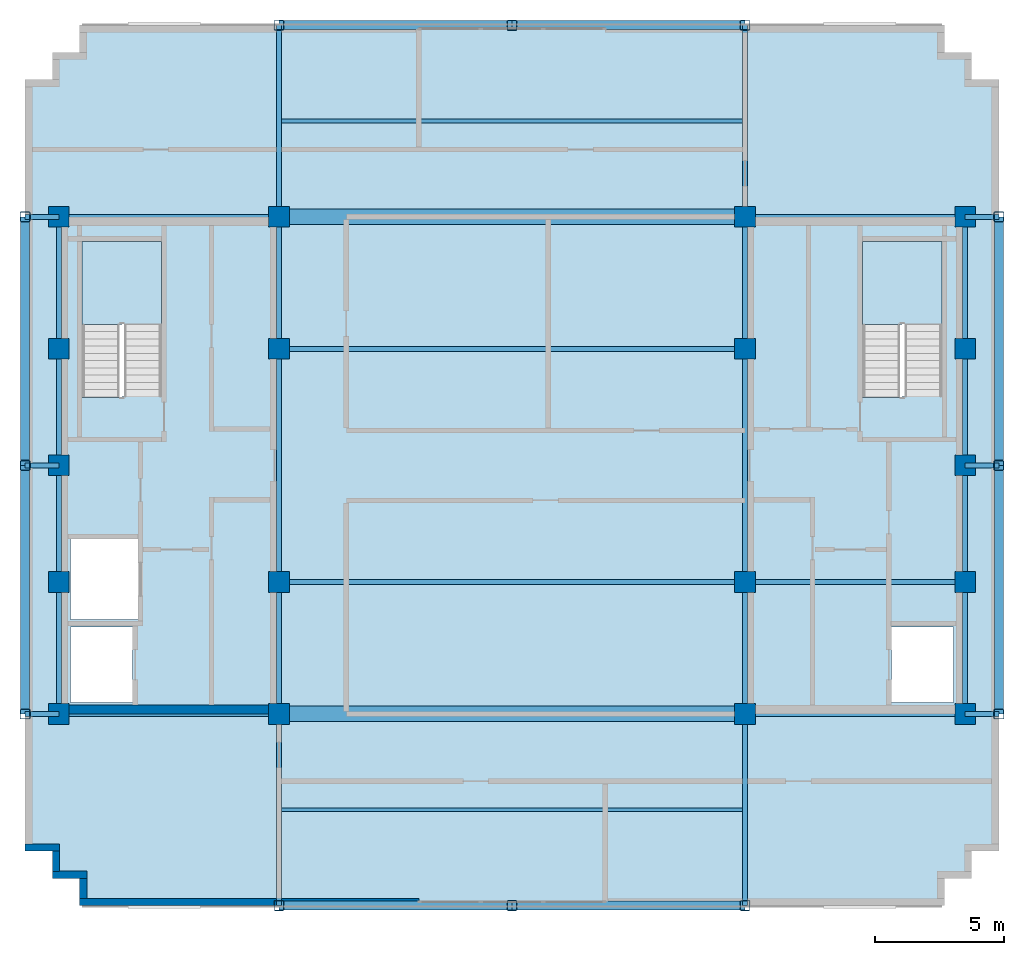
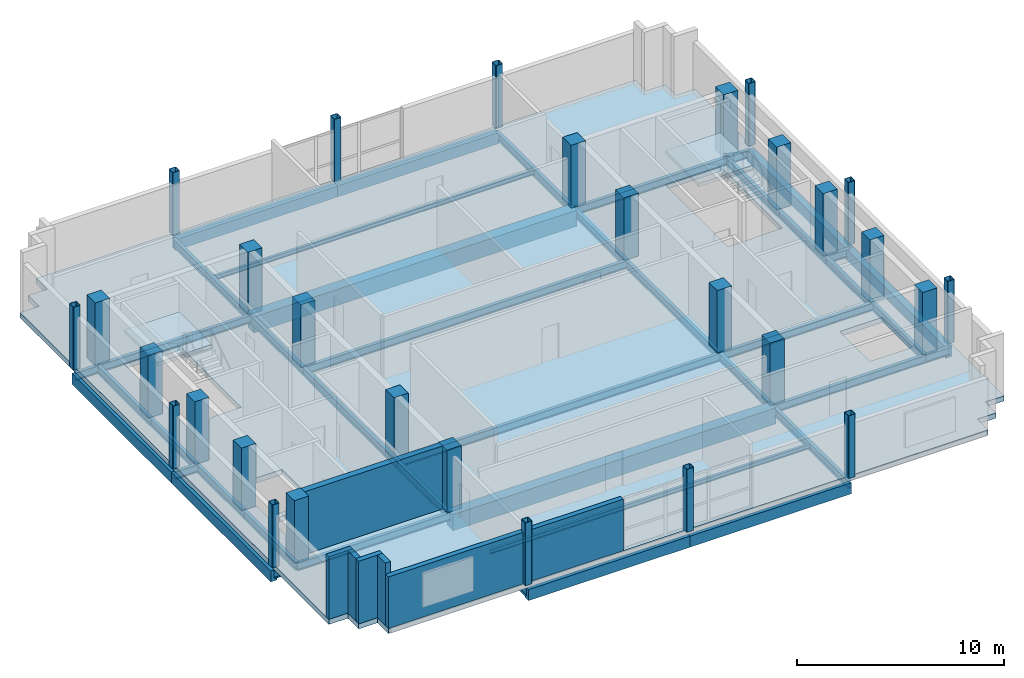
# One storey, part 1 of 10: 43 beams, 30 columns, 6 walls, 3 slabs, 2 elements without a shape of their own.
"""IFC4 building model written with IfcOpenShell, lengths in metres."""

import ifcopenshell
import ifcopenshell.guid

model = None  # the IFC model being written
_history = None  # IfcOwnerHistory: only IFC2X3 demands one
_inside = {}  # id of a spatial element -> (the spatial element, [elements in it])
_under = {}  # id of a project, library or spatial element -> (it, [spatial elements below it])
_declared = {}  # id of a project -> (the project, [libraries it declares])
_typed = {}  # id of a type object -> (the type object, [elements of that type])
_made_of = {}  # id of a material, layer set ... -> (it, [elements and type objects made of it])


def new_model(schema):
    """Start an empty IFC model of exactly this schema.

    Asked for "IFC4X3", IfcOpenShell would pick the latest addendum, in which some entities
    have other attributes; the version numbers below select the first issue.
    IFC2X3 requires an IfcOwnerHistory on every rooted entity: one is made here for all.
    """
    global model, _history
    if schema == "IFC4X3":
        model = ifcopenshell.file(schema_version=(4, 3, 0, 0))
    else:
        model = ifcopenshell.file(schema=schema)
    _inside.clear()
    _under.clear()
    _declared.clear()
    _typed.clear()
    _made_of.clear()
    _history = None
    if model.schema == "IFC2X3":
        org = make("IfcOrganization", Name="unknown")
        user = make(
            "IfcPersonAndOrganization",
            ThePerson=make("IfcPerson", FamilyName="unknown"),
            TheOrganization=org,
        )
        app = make(
            "IfcApplication",
            ApplicationDeveloper=org,
            Version="unknown",
            ApplicationFullName="unknown",
            ApplicationIdentifier="unknown",
        )
        _history = make(
            "IfcOwnerHistory",
            OwningUser=user,
            OwningApplication=app,
            ChangeAction="ADDED",
            CreationDate=0,
        )
    return model


def make(cls, **values):
    """One entity of the class cls with the attributes given. An attribute that is None is left unset."""
    return model.create_entity(
        cls, **{name: value for name, value in values.items() if value is not None}
    )


def rooted(cls, **values):
    """An entity with a GlobalId (a new one), such as an element, a storey or a relation."""
    return make(cls, GlobalId=ifcopenshell.guid.new(), OwnerHistory=_history, **values)


def si_unit(unit_type, name, prefix=None):
    """IfcSIUnit, for example si_unit("LENGTHUNIT", "METRE", prefix="MILLI")."""
    return make("IfcSIUnit", UnitType=unit_type, Prefix=prefix, Name=name)


def assignment(units):
    """IfcUnitAssignment: the units of a project."""
    return None if units is None else make("IfcUnitAssignment", Units=units)


def point(xyz):
    """IfcCartesianPoint."""
    return None if xyz is None else make("IfcCartesianPoint", Coordinates=xyz)


def direction(xyz):
    """IfcDirection."""
    return None if xyz is None else make("IfcDirection", DirectionRatios=xyz)


def frame(location, z_axis=None, x_axis=None):
    """IfcAxis2Placement3D, a coordinate frame: its origin and axes. An axis left out is left unset."""
    return make(
        "IfcAxis2Placement3D",
        Location=point(location),
        Axis=direction(z_axis),
        RefDirection=direction(x_axis),
    )


def frame_2d(location, x_axis=None):
    """IfcAxis2Placement2D, a coordinate frame in the plane: its origin and x axis."""
    return make(
        "IfcAxis2Placement2D", Location=point(location), RefDirection=direction(x_axis)
    )


def origin():
    """The frame at (0, 0, 0) with its axes left unset."""
    return frame((0.0, 0.0, 0.0))


def origin_2d():
    """The frame at (0, 0) in the plane with its x axis left unset."""
    return frame_2d((0.0, 0.0))


def place(relative_to, where):
    """IfcLocalPlacement: puts the frame where relative to a parent placement (None: the world)."""
    return make(
        "IfcLocalPlacement", PlacementRelTo=relative_to, RelativePlacement=where
    )


def context(
    kind, dimensions, precision=None, world=None, true_north=None, identifier=None
):
    """IfcGeometricRepresentationContext, for example the 3D "Model" context."""
    return make(
        "IfcGeometricRepresentationContext",
        ContextIdentifier=identifier,
        ContextType=kind,
        CoordinateSpaceDimension=dimensions,
        Precision=precision,
        WorldCoordinateSystem=world,
        TrueNorth=true_north,
    )


def subcontext(parent, identifier, kind, view, scale=None):
    """IfcGeometricRepresentationSubContext, for example "Body" below "Model"."""
    return make(
        "IfcGeometricRepresentationSubContext",
        ContextIdentifier=identifier,
        ContextType=kind,
        ParentContext=parent,
        TargetScale=scale,
        TargetView=view,
    )


def project(units=None, contexts=None):
    """IfcProject with its units and contexts."""
    return rooted(
        "IfcProject",
        Name="project",
        RepresentationContexts=contexts,
        UnitsInContext=assignment(units),
    )


def spatial(cls, under=None, at=None, **own):
    """A site, building, storey or space (cls), placed at a placement, below another one or the project."""
    s = rooted(cls, ObjectPlacement=at, **own)
    if under is not None:
        _under.setdefault(under.id(), (under, []))[1].append(s)
    return s


def polyline(points):
    """IfcPolyline through the points."""
    return make("IfcPolyline", Points=[point(p) for p in points])


def profile(cls, at=None, kind="AREA", **sizes):
    """A parametric profile (cls). Its sizes go by their IFC names, for example OverallWidth=200.0."""
    return make(cls, ProfileType=kind, Position=at, **sizes)


def rectangle(**sizes):
    """IfcRectangleProfileDef."""
    return profile("IfcRectangleProfileDef", **sizes)


def hollow_rectangle(**sizes):
    """IfcRectangleHollowProfileDef."""
    return profile("IfcRectangleHollowProfileDef", **sizes)


def i_section(**sizes):
    """IfcIShapeProfileDef."""
    return profile("IfcIShapeProfileDef", **sizes)


def outline(outer, holes=None, kind="AREA"):
    """IfcArbitraryClosedProfileDef: a profile drawn as a closed curve; with holes, ...WithVoids."""
    if holes is None:
        return make("IfcArbitraryClosedProfileDef", ProfileType=kind, OuterCurve=outer)
    return make(
        "IfcArbitraryProfileDefWithVoids",
        ProfileType=kind,
        OuterCurve=outer,
        InnerCurves=holes,
    )


def extrude(swept, where, along, depth):
    """IfcExtrudedAreaSolid: the profile swept, set in the frame where, extruded along a direction by depth."""
    return make(
        "IfcExtrudedAreaSolid",
        SweptArea=swept,
        Position=where,
        ExtrudedDirection=direction(along),
        Depth=depth,
    )


def shape(context_of_items, identifier, shape_type, items):
    """IfcShapeRepresentation: the items that make up one representation, for example the "Body"."""
    return make(
        "IfcShapeRepresentation",
        ContextOfItems=context_of_items,
        RepresentationIdentifier=identifier,
        RepresentationType=shape_type,
        Items=items,
    )


def material(Name=None, Category=None):
    """IfcMaterial."""
    return make("IfcMaterial", Name=Name, Category=Category)


def layer(
    of_material, thickness, ventilated=None, Name=None, Category=None, Priority=None
):
    """IfcMaterialLayer: one layer of a wall or slab, of a material (None: an air gap)."""
    return make(
        "IfcMaterialLayer",
        Material=of_material,
        LayerThickness=thickness,
        IsVentilated=ventilated,
        Name=Name,
        Category=Category,
        Priority=Priority,
    )


def layer_set(layers, Name=None):
    """IfcMaterialLayerSet."""
    return make("IfcMaterialLayerSet", MaterialLayers=layers, LayerSetName=Name)


def material_profile(
    of_material, cross_section, Name=None, Category=None, Priority=None
):
    """IfcMaterialProfile: a cross section and its material."""
    return make(
        "IfcMaterialProfile",
        Name=Name,
        Material=of_material,
        Profile=cross_section,
        Priority=Priority,
        Category=Category,
    )


def profile_set(profiles, Name=None, composite=None):
    """IfcMaterialProfileSet."""
    return make(
        "IfcMaterialProfileSet",
        Name=Name,
        MaterialProfiles=profiles,
        CompositeProfile=composite,
    )


def made_of(thing, what):
    """Note that an element or type object is made of a material, layer set ...; save() writes the relation."""
    if what is not None:
        _made_of.setdefault(what.id(), (what, []))[1].append(thing)
    return thing


def type_object(cls, material=None, **own):
    """A type object (cls), such as IfcWallType, which elements share."""
    return made_of(rooted(cls, **own), material)


def element(
    cls,
    number,
    at=None,
    inside=None,
    cuts=None,
    type_object=None,
    material=None,
    context=None,
    identifier="Body",
    shape_type=None,
    held_by="IfcProductDefinitionShape",
    body=None,
    shapes=None,
    **own,
):
    """One element of the class cls, such as IfcWall. Its Tag is "e" and its number.

    at: its placement. inside: the storey or other place that contains it. cuts: it is an
    opening in that element (IfcRelVoidsElement). A single representation is given by context,
    identifier, shape_type and body (its items); several are given by shapes. held_by: the class
    of the entity that holds the representations. save() writes the other relations.
    """
    e = rooted(cls, Tag="e%d" % number, ObjectPlacement=at, **own)
    if body is not None:
        shapes = [shape(context, identifier, shape_type, body)]
    if shapes is not None:
        e.Representation = make(held_by, Representations=shapes)
    if inside is not None:
        _inside.setdefault(inside.id(), (inside, []))[1].append(e)
    if cuts is not None:
        rooted(
            "IfcRelVoidsElement", RelatingBuildingElement=cuts, RelatedOpeningElement=e
        )
    if type_object is not None:
        _typed.setdefault(type_object.id(), (type_object, []))[1].append(e)
    return made_of(e, material)


def aggregate(whole, parts):
    """IfcRelAggregates: a whole, such as a stair, and the parts it consists of."""
    return rooted("IfcRelAggregates", RelatingObject=whole, RelatedObjects=parts)


def save(model, path):
    """Write the relations noted so far, then the file.

    IfcRelAggregates (storeys below a building ...), IfcRelContainedInSpatialStructure (elements
    in a storey), IfcRelDefinesByType, IfcRelAssociatesMaterial and IfcRelDeclares: one each for
    every whole, place, type object, material and project.
    """
    for whole, parts in _under.values():
        aggregate(whole, parts)
    for where, things in _inside.values():
        rooted(
            "IfcRelContainedInSpatialStructure",
            RelatedElements=things,
            RelatingStructure=where,
        )
    for kind, things in _typed.values():
        rooted("IfcRelDefinesByType", RelatedObjects=things, RelatingType=kind)
    for what, things in _made_of.values():
        rooted("IfcRelAssociatesMaterial", RelatedObjects=things, RelatingMaterial=what)
    for by, libraries in _declared.values():
        rooted("IfcRelDeclares", RelatingContext=by, RelatedDefinitions=libraries)
    model.write(path)


model = new_model("IFC4")

# Units and contexts
model_context = context("Model", 3, precision=1e-05, world=origin(), true_north=direction((0.0, 1.0)))
body_context = subcontext(model_context, "Body", "Model", "MODEL_VIEW")
ifc_project = project(units=[si_unit("LENGTHUNIT", "METRE"), si_unit("AREAUNIT", "SQUARE_METRE"), si_unit("VOLUMEUNIT", "CUBIC_METRE"), si_unit("PLANEANGLEUNIT", "RADIAN"), si_unit("MASSUNIT", "GRAM", prefix="KILO")], contexts=[model_context])

# Site, building, storey
site_placement = place(None, origin())
site = spatial("IfcSite", under=ifc_project, at=site_placement, CompositionType="ELEMENT")
building_placement = place(site_placement, origin())
building = spatial("IfcBuilding", under=site, at=building_placement, Name="Nuvemarco Arch Tower", CompositionType="ELEMENT")
storey_placement = place(building_placement, frame((0.0, 0.0, 291.14990234375)))
storey = spatial("IfcBuildingStorey", under=building, at=storey_placement, Name="L77", CompositionType="ELEMENT", Elevation=291.14990234375)

# Columns
ifc_material_1 = material(Name="Concrete C50/60", Category="concrete")
ifc_material_profile_1 = material_profile(ifc_material_1, rectangle(XDim=0.800048828125, YDim=0.800048828125, at=origin_2d()), Name="RC-COL-800x800")
ifc_profile_set_1 = profile_set([ifc_material_profile_1], Name="Concrete C50/60")
column_type_1 = type_object("IfcColumnType", Name="COL-CORE-800", PredefinedType="COLUMN", material=ifc_profile_set_1)
for number, where, z_axis, x_axis, name in (
    (1, (-17.5, -9.60009765625, 0.0), (0.0, 0.0, 1.0), (1.0, 0.0, 0.0), "L77 column CC_-17.5_-9.6"),
    (2, (-17.5, -4.5, 0.0), (0.0, 0.0, 1.0), (1.0, 0.0, 0.0), "L77 column CC_-17.5_-4.5"),
    (3, (-17.5, 4.5, 0.0), (0.0, 0.0, 1.0), (1.0, 0.0, 0.0), "L77 column CC_-17.5_+4.5"),
    (4, (-17.5, 9.60009765625, 0.0), (0.0, 0.0, 1.0), (1.0, 0.0, 0.0), "L77 column CC_-17.5_+9.6"),
    (5, (-9.0, -9.60009765625, 0.0), (0.0, 0.0, 1.0), (1.0, 0.0, 0.0), "L77 column CC_-9.0_-9.6"),
    (6, (-9.0, -4.5, 0.0), (0.0, 0.0, 1.0), (1.0, 0.0, 0.0), "L77 column CC_-9.0_-4.5"),
    (7, (-9.0, 4.5, 0.0), (0.0, 0.0, 1.0), (1.0, 0.0, 0.0), "L77 column CC_-9.0_+4.5"),
    (8, (-9.0, 9.60009765625, 0.0), (0.0, 0.0, 1.0), (1.0, 0.0, 0.0), "L77 column CC_-9.0_+9.6"),
    (9, (9.0, -9.60009765625, 0.0), (0.0, 0.0, 1.0), (1.0, 0.0, 0.0), "L77 column CC_+9.0_-9.6"),
    (10, (9.0, -4.5, 0.0), (0.0, 0.0, 1.0), (1.0, 0.0, 0.0), "L77 column CC_+9.0_-4.5"),
    (11, (9.0, 4.5, 0.0), (0.0, 0.0, 1.0), (1.0, 0.0, 0.0), "L77 column CC_+9.0_+4.5"),
    (12, (9.0, 9.60009765625, 0.0), (0.0, 0.0, 1.0), (1.0, 0.0, 0.0), "L77 column CC_+9.0_+9.6"),
    (13, (17.5, -9.60009765625, 0.0), (0.0, 0.0, 1.0), (1.0, 0.0, 0.0), "L77 column CC_+17.5_-9.6"),
    (14, (17.5, -4.5, 0.0), (0.0, 0.0, 1.0), (1.0, 0.0, 0.0), "L77 column CC_+17.5_-4.5"),
    (15, (17.5, 4.5, 0.0), (0.0, 0.0, 1.0), (1.0, 0.0, 0.0), "L77 column CC_+17.5_+4.5"),
    (16, (17.5, 9.60009765625, 0.0), (0.0, 0.0, 1.0), (1.0, 0.0, 0.0), "L77 column CC_+17.5_+9.6"),
    (17, (-17.5, 0.0, 0.0), (0.0, 0.0, 1.0), (1.0, 0.0, 0.0), "L77 column CC_-17.5_+0.0"),
    (18, (17.5, 0.0, 0.0), (0.0, 0.0, 1.0), (1.0, 0.0, 0.0), "L77 column CC_+17.5_+0.0"),
):
    element("IfcColumn", number, at=place(storey_placement, frame(where, z_axis=z_axis, x_axis=x_axis)), inside=storey, type_object=column_type_1, Name=name, PredefinedType="COLUMN", context=body_context, shape_type="SweptSolid", body=[
        extrude(rectangle(XDim=0.800048828125, YDim=0.800048828125, at=origin_2d()), origin(), (0.0, 0.0, 1.0), 3.7001953125),
    ])
ifc_material_2 = material(Name="Steel S355", Category="steel")
ifc_material_profile_2 = material_profile(ifc_material_2, hollow_rectangle(XDim=0.39990234375, YDim=0.39990234375, WallThickness=0.02490234375, InnerFilletRadius=0.02490234375, OuterFilletRadius=0.050048828125, at=origin_2d()), Name="SHS400x400x25")
ifc_profile_set_2 = profile_set([ifc_material_profile_2], Name="Steel S355")
column_type_2 = type_object("IfcColumnType", Name="COL-EXO-400", PredefinedType="COLUMN", material=ifc_profile_set_2)
for number, where, z_axis, x_axis, name in (
    (19, (-18.800048828125, -9.60009765625, 0.0), (0.0, 0.0, 1.0), (1.0, 0.0, 0.0), "L77 column CX_-18.8_-9.6"),
    (20, (-18.800048828125, 0.0, 0.0), (0.0, 0.0, 1.0), (1.0, 0.0, 0.0), "L77 column CX_-18.8_+0.0"),
    (21, (-18.800048828125, 9.60009765625, 0.0), (0.0, 0.0, 1.0), (1.0, 0.0, 0.0), "L77 column CX_-18.8_+9.6"),
    (22, (18.800048828125, -9.60009765625, 0.0), (0.0, 0.0, 1.0), (1.0, 0.0, 0.0), "L77 column CX_+18.8_-9.6"),
    (23, (18.800048828125, 0.0, 0.0), (0.0, 0.0, 1.0), (1.0, 0.0, 0.0), "L77 column CX_+18.8_+0.0"),
    (24, (18.800048828125, 9.60009765625, 0.0), (0.0, 0.0, 1.0), (1.0, 0.0, 0.0), "L77 column CX_+18.8_+9.6"),
    (25, (-9.0, -17.0, 0.0), (0.0, 0.0, 1.0), (1.0, 0.0, 0.0), "L77 column CY_-9.0_-17.0"),
    (26, (0.0, -17.0, 0.0), (0.0, 0.0, 1.0), (1.0, 0.0, 0.0), "L77 column CY_+0.0_-17.0"),
    (27, (9.0, -17.0, 0.0), (0.0, 0.0, 1.0), (1.0, 0.0, 0.0), "L77 column CY_+9.0_-17.0"),
    (28, (-9.0, 17.0, 0.0), (0.0, 0.0, 1.0), (1.0, 0.0, 0.0), "L77 column CY_-9.0_+17.0"),
    (29, (0.0, 17.0, 0.0), (0.0, 0.0, 1.0), (1.0, 0.0, 0.0), "L77 column CY_+0.0_+17.0"),
    (30, (9.0, 17.0, 0.0), (0.0, 0.0, 1.0), (1.0, 0.0, 0.0), "L77 column CY_+9.0_+17.0"),
):
    element("IfcColumn", number, at=place(storey_placement, frame(where, z_axis=z_axis, x_axis=x_axis)), inside=storey, type_object=column_type_2, Name=name, PredefinedType="COLUMN", context=body_context, shape_type="SweptSolid", body=[
        extrude(hollow_rectangle(XDim=0.39990234375, YDim=0.39990234375, WallThickness=0.02490234375, InnerFilletRadius=0.02490234375, OuterFilletRadius=0.050048828125, at=origin_2d()), origin(), (0.0, 0.0, 1.0), 3.7001953125),
    ])

# Beams
ifc_material_3 = material(Name="Concrete C60/75", Category="concrete")
ifc_material_profile_3 = material_profile(ifc_material_3, rectangle(XDim=0.60009765625, YDim=0.949951171875, at=origin_2d()), Name="RC-BM-600x950")
ifc_profile_set_3 = profile_set([ifc_material_profile_3], Name="Concrete C60/75")
beam_type_1 = type_object("IfcBeamType", Name="BM-COUP-RC", PredefinedType="LINTEL", material=ifc_profile_set_3)
for number, where, z_axis, x_axis, name in (
    (31, (-9.0, -9.60009765625, -0.77490234375), (1.0, 0.0, 0.0), (0.0, 1.0, 0.0), "L77 structural beam BGEW_L77_0_-9.6_-9.0"),
    (32, (-9.0, 9.60009765625, -0.77490234375), (1.0, 0.0, 0.0), (0.0, 1.0, 0.0), "L77 structural beam BGEW_L77_0_+9.6_-9.0"),
):
    element("IfcBeam", number, at=place(storey_placement, frame(where, z_axis=z_axis, x_axis=x_axis)), inside=storey, type_object=beam_type_1, Name=name, PredefinedType="LINTEL", context=body_context, shape_type="SweptSolid", body=[
        extrude(rectangle(XDim=0.60009765625, YDim=0.949951171875, at=origin_2d()), origin(), (0.0, 0.0, 1.0), 18.0),
    ])
ifc_material_profile_4 = material_profile(ifc_material_2, i_section(OverallWidth=0.19189453125, OverallDepth=0.462890625, WebThickness=0.010498046875, FlangeThickness=0.017578125, FilletRadius=0.014892578125, at=origin_2d()), Name="W460x89")
ifc_profile_set_4 = profile_set([ifc_material_profile_4], Name="Steel S355")
beam_type_2 = type_object("IfcBeamType", Name="BM-GIRD-460", PredefinedType="BEAM", material=ifc_profile_set_4)
beam_1_placement = place(storey_placement, frame((-17.5, -9.60009765625, -0.531494140625), z_axis=(0.0, 1.0, 0.0), x_axis=(-1.0, 0.0, 0.0)))
element("IfcBeam", 33, at=beam_1_placement, inside=storey, type_object=beam_type_2, Name="L77 structural beam BGNS_L77_0_-17.5_-9.6", PredefinedType="BEAM", context=body_context, shape_type="SweptSolid", body=[
    extrude(i_section(OverallWidth=0.19189453125, OverallDepth=0.462890625, WebThickness=0.010498046875, FlangeThickness=0.017578125, FilletRadius=0.014892578125, at=origin_2d()), origin(), (0.0, 0.0, 1.0), 5.10009765625),
])
for number, where, z_axis, x_axis, name in (
    (34, (-17.5, -4.5, -0.531494140625), (0.0, 1.0, 0.0), (-1.0, 0.0, 0.0), "L77 structural beam BGNS_L77_0_-17.5_-4.5"),
    (35, (-17.5, 0.0, -0.531494140625), (0.0, 1.0, 0.0), (-1.0, 0.0, 0.0), "L77 structural beam BGNS_L77_0_-17.5_+0.0"),
):
    element("IfcBeam", number, at=place(storey_placement, frame(where, z_axis=z_axis, x_axis=x_axis)), inside=storey, type_object=beam_type_2, Name=name, PredefinedType="BEAM", context=body_context, shape_type="SweptSolid", body=[
        extrude(i_section(OverallWidth=0.19189453125, OverallDepth=0.462890625, WebThickness=0.010498046875, FlangeThickness=0.017578125, FilletRadius=0.014892578125, at=origin_2d()), origin(), (0.0, 0.0, 1.0), 4.5),
    ])
beam_2_placement = place(storey_placement, frame((-17.5, 4.5, -0.531494140625), z_axis=(0.0, 1.0, 0.0), x_axis=(-1.0, 0.0, 0.0)))
element("IfcBeam", 36, at=beam_2_placement, inside=storey, type_object=beam_type_2, Name="L77 structural beam BGNS_L77_0_-17.5_+4.5", PredefinedType="BEAM", context=body_context, shape_type="SweptSolid", body=[
    extrude(i_section(OverallWidth=0.19189453125, OverallDepth=0.462890625, WebThickness=0.010498046875, FlangeThickness=0.017578125, FilletRadius=0.014892578125, at=origin_2d()), origin(), (0.0, 0.0, 1.0), 5.10009765625),
])
beam_3_placement = place(storey_placement, frame((-9.0, -17.0, -0.531494140625), z_axis=(0.0, 1.0, 0.0), x_axis=(-1.0, 0.0, 0.0)))
element("IfcBeam", 37, at=beam_3_placement, inside=storey, type_object=beam_type_2, Name="L77 structural beam BGNS_L77_0_-9.0_-17.0", PredefinedType="BEAM", context=body_context, shape_type="SweptSolid", body=[
    extrude(i_section(OverallWidth=0.19189453125, OverallDepth=0.462890625, WebThickness=0.010498046875, FlangeThickness=0.017578125, FilletRadius=0.014892578125, at=origin_2d()), origin(), (0.0, 0.0, 1.0), 7.39990234375),
])
beam_4_placement = place(storey_placement, frame((-9.0, -9.60009765625, -0.531494140625), z_axis=(0.0, 1.0, 0.0), x_axis=(-1.0, 0.0, 0.0)))
element("IfcBeam", 38, at=beam_4_placement, inside=storey, type_object=beam_type_2, Name="L77 structural beam BGNS_L77_0_-9.0_-9.6", PredefinedType="BEAM", context=body_context, shape_type="SweptSolid", body=[
    extrude(i_section(OverallWidth=0.19189453125, OverallDepth=0.462890625, WebThickness=0.010498046875, FlangeThickness=0.017578125, FilletRadius=0.014892578125, at=origin_2d()), origin(), (0.0, 0.0, 1.0), 5.10009765625),
])
beam_5_placement = place(storey_placement, frame((-9.0, -4.5, -0.531494140625), z_axis=(0.0, 1.0, 0.0), x_axis=(-1.0, 0.0, 0.0)))
element("IfcBeam", 39, at=beam_5_placement, inside=storey, type_object=beam_type_2, Name="L77 structural beam BGNS_L77_0_-9.0_-4.5", PredefinedType="BEAM", context=body_context, shape_type="SweptSolid", body=[
    extrude(i_section(OverallWidth=0.19189453125, OverallDepth=0.462890625, WebThickness=0.010498046875, FlangeThickness=0.017578125, FilletRadius=0.014892578125, at=origin_2d()), origin(), (0.0, 0.0, 1.0), 9.0),
])
beam_6_placement = place(storey_placement, frame((-9.0, 4.5, -0.531494140625), z_axis=(0.0, 1.0, 0.0), x_axis=(-1.0, 0.0, 0.0)))
element("IfcBeam", 40, at=beam_6_placement, inside=storey, type_object=beam_type_2, Name="L77 structural beam BGNS_L77_0_-9.0_+4.5", PredefinedType="BEAM", context=body_context, shape_type="SweptSolid", body=[
    extrude(i_section(OverallWidth=0.19189453125, OverallDepth=0.462890625, WebThickness=0.010498046875, FlangeThickness=0.017578125, FilletRadius=0.014892578125, at=origin_2d()), origin(), (0.0, 0.0, 1.0), 5.10009765625),
])
for number, where, z_axis, x_axis, name in (
    (41, (-9.0, 9.60009765625, -0.531494140625), (0.0, 1.0, 0.0), (-1.0, 0.0, 0.0), "L77 structural beam BGNS_L77_0_-9.0_+9.6"),
    (42, (9.0, -17.0, -0.531494140625), (0.0, 1.0, 0.0), (-1.0, 0.0, 0.0), "L77 structural beam BGNS_L77_0_+9.0_-17.0"),
):
    element("IfcBeam", number, at=place(storey_placement, frame(where, z_axis=z_axis, x_axis=x_axis)), inside=storey, type_object=beam_type_2, Name=name, PredefinedType="BEAM", context=body_context, shape_type="SweptSolid", body=[
        extrude(i_section(OverallWidth=0.19189453125, OverallDepth=0.462890625, WebThickness=0.010498046875, FlangeThickness=0.017578125, FilletRadius=0.014892578125, at=origin_2d()), origin(), (0.0, 0.0, 1.0), 7.39990234375),
    ])
beam_7_placement = place(storey_placement, frame((9.0, -9.60009765625, -0.531494140625), z_axis=(0.0, 1.0, 0.0), x_axis=(-1.0, 0.0, 0.0)))
element("IfcBeam", 43, at=beam_7_placement, inside=storey, type_object=beam_type_2, Name="L77 structural beam BGNS_L77_0_+9.0_-9.6", PredefinedType="BEAM", context=body_context, shape_type="SweptSolid", body=[
    extrude(i_section(OverallWidth=0.19189453125, OverallDepth=0.462890625, WebThickness=0.010498046875, FlangeThickness=0.017578125, FilletRadius=0.014892578125, at=origin_2d()), origin(), (0.0, 0.0, 1.0), 5.10009765625),
])
beam_8_placement = place(storey_placement, frame((9.0, -4.5, -0.531494140625), z_axis=(0.0, 1.0, 0.0), x_axis=(-1.0, 0.0, 0.0)))
element("IfcBeam", 44, at=beam_8_placement, inside=storey, type_object=beam_type_2, Name="L77 structural beam BGNS_L77_0_+9.0_-4.5", PredefinedType="BEAM", context=body_context, shape_type="SweptSolid", body=[
    extrude(i_section(OverallWidth=0.19189453125, OverallDepth=0.462890625, WebThickness=0.010498046875, FlangeThickness=0.017578125, FilletRadius=0.014892578125, at=origin_2d()), origin(), (0.0, 0.0, 1.0), 9.0),
])
beam_9_placement = place(storey_placement, frame((9.0, 4.5, -0.531494140625), z_axis=(0.0, 1.0, 0.0), x_axis=(-1.0, 0.0, 0.0)))
element("IfcBeam", 45, at=beam_9_placement, inside=storey, type_object=beam_type_2, Name="L77 structural beam BGNS_L77_0_+9.0_+4.5", PredefinedType="BEAM", context=body_context, shape_type="SweptSolid", body=[
    extrude(i_section(OverallWidth=0.19189453125, OverallDepth=0.462890625, WebThickness=0.010498046875, FlangeThickness=0.017578125, FilletRadius=0.014892578125, at=origin_2d()), origin(), (0.0, 0.0, 1.0), 5.10009765625),
])
beam_10_placement = place(storey_placement, frame((9.0, 9.60009765625, -0.531494140625), z_axis=(0.0, 1.0, 0.0), x_axis=(-1.0, 0.0, 0.0)))
element("IfcBeam", 46, at=beam_10_placement, inside=storey, type_object=beam_type_2, Name="L77 structural beam BGNS_L77_0_+9.0_+9.6", PredefinedType="BEAM", context=body_context, shape_type="SweptSolid", body=[
    extrude(i_section(OverallWidth=0.19189453125, OverallDepth=0.462890625, WebThickness=0.010498046875, FlangeThickness=0.017578125, FilletRadius=0.014892578125, at=origin_2d()), origin(), (0.0, 0.0, 1.0), 7.39990234375),
])
beam_11_placement = place(storey_placement, frame((17.5, -9.60009765625, -0.531494140625), z_axis=(0.0, 1.0, 0.0), x_axis=(-1.0, 0.0, 0.0)))
element("IfcBeam", 47, at=beam_11_placement, inside=storey, type_object=beam_type_2, Name="L77 structural beam BGNS_L77_0_+17.5_-9.6", PredefinedType="BEAM", context=body_context, shape_type="SweptSolid", body=[
    extrude(i_section(OverallWidth=0.19189453125, OverallDepth=0.462890625, WebThickness=0.010498046875, FlangeThickness=0.017578125, FilletRadius=0.014892578125, at=origin_2d()), origin(), (0.0, 0.0, 1.0), 5.10009765625),
])
for number, where, z_axis, x_axis, name in (
    (48, (17.5, -4.5, -0.531494140625), (0.0, 1.0, 0.0), (-1.0, 0.0, 0.0), "L77 structural beam BGNS_L77_0_+17.5_-4.5"),
    (49, (17.5, 0.0, -0.531494140625), (0.0, 1.0, 0.0), (-1.0, 0.0, 0.0), "L77 structural beam BGNS_L77_0_+17.5_+0.0"),
):
    element("IfcBeam", number, at=place(storey_placement, frame(where, z_axis=z_axis, x_axis=x_axis)), inside=storey, type_object=beam_type_2, Name=name, PredefinedType="BEAM", context=body_context, shape_type="SweptSolid", body=[
        extrude(i_section(OverallWidth=0.19189453125, OverallDepth=0.462890625, WebThickness=0.010498046875, FlangeThickness=0.017578125, FilletRadius=0.014892578125, at=origin_2d()), origin(), (0.0, 0.0, 1.0), 4.5),
    ])
beam_12_placement = place(storey_placement, frame((17.5, 4.5, -0.531494140625), z_axis=(0.0, 1.0, 0.0), x_axis=(-1.0, 0.0, 0.0)))
element("IfcBeam", 50, at=beam_12_placement, inside=storey, type_object=beam_type_2, Name="L77 structural beam BGNS_L77_0_+17.5_+4.5", PredefinedType="BEAM", context=body_context, shape_type="SweptSolid", body=[
    extrude(i_section(OverallWidth=0.19189453125, OverallDepth=0.462890625, WebThickness=0.010498046875, FlangeThickness=0.017578125, FilletRadius=0.014892578125, at=origin_2d()), origin(), (0.0, 0.0, 1.0), 5.10009765625),
])
beam_13_placement = place(storey_placement, frame((-18.800048828125, -9.60009765625, -0.531494140625), z_axis=(1.0, 0.0, 0.0), x_axis=(0.0, 1.0, 0.0)))
element("IfcBeam", 51, at=beam_13_placement, inside=storey, type_object=beam_type_2, Name="L77 structural beam BGEW_L77_0_-9.6_-18.8", PredefinedType="BEAM", context=body_context, shape_type="SweptSolid", body=[
    extrude(i_section(OverallWidth=0.19189453125, OverallDepth=0.462890625, WebThickness=0.010498046875, FlangeThickness=0.017578125, FilletRadius=0.014892578125, at=origin_2d()), origin(), (0.0, 0.0, 1.0), 1.300048828125),
])
for number, where, z_axis, x_axis, name in (
    (52, (-17.5, -9.60009765625, -0.531494140625), (1.0, 0.0, 0.0), (0.0, 1.0, 0.0), "L77 structural beam BGEW_L77_0_-9.6_-17.5"),
    (53, (9.0, -9.60009765625, -0.531494140625), (1.0, 0.0, 0.0), (0.0, 1.0, 0.0), "L77 structural beam BGEW_L77_0_-9.6_+9.0"),
):
    element("IfcBeam", number, at=place(storey_placement, frame(where, z_axis=z_axis, x_axis=x_axis)), inside=storey, type_object=beam_type_2, Name=name, PredefinedType="BEAM", context=body_context, shape_type="SweptSolid", body=[
        extrude(i_section(OverallWidth=0.19189453125, OverallDepth=0.462890625, WebThickness=0.010498046875, FlangeThickness=0.017578125, FilletRadius=0.014892578125, at=origin_2d()), origin(), (0.0, 0.0, 1.0), 8.5),
    ])
beam_14_placement = place(storey_placement, frame((17.5, -9.60009765625, -0.531494140625), z_axis=(1.0, 0.0, 0.0), x_axis=(0.0, 1.0, 0.0)))
element("IfcBeam", 54, at=beam_14_placement, inside=storey, type_object=beam_type_2, Name="L77 structural beam BGEW_L77_0_-9.6_+17.5", PredefinedType="BEAM", context=body_context, shape_type="SweptSolid", body=[
    extrude(i_section(OverallWidth=0.19189453125, OverallDepth=0.462890625, WebThickness=0.010498046875, FlangeThickness=0.017578125, FilletRadius=0.014892578125, at=origin_2d()), origin(), (0.0, 0.0, 1.0), 1.300048828125),
])
beam_15_placement = place(storey_placement, frame((-9.0, -4.5, -0.531494140625), z_axis=(1.0, 0.0, 0.0), x_axis=(0.0, 1.0, 0.0)))
element("IfcBeam", 55, at=beam_15_placement, inside=storey, type_object=beam_type_2, Name="L77 structural beam BGEW_L77_0_-4.5_-9.0", PredefinedType="BEAM", context=body_context, shape_type="SweptSolid", body=[
    extrude(i_section(OverallWidth=0.19189453125, OverallDepth=0.462890625, WebThickness=0.010498046875, FlangeThickness=0.017578125, FilletRadius=0.014892578125, at=origin_2d()), origin(), (0.0, 0.0, 1.0), 18.0),
])
beam_16_placement = place(storey_placement, frame((9.0, -4.5, -0.531494140625), z_axis=(1.0, 0.0, 0.0), x_axis=(0.0, 1.0, 0.0)))
element("IfcBeam", 56, at=beam_16_placement, inside=storey, type_object=beam_type_2, Name="L77 structural beam BGEW_L77_0_-4.5_+9.0", PredefinedType="BEAM", context=body_context, shape_type="SweptSolid", body=[
    extrude(i_section(OverallWidth=0.19189453125, OverallDepth=0.462890625, WebThickness=0.010498046875, FlangeThickness=0.017578125, FilletRadius=0.014892578125, at=origin_2d()), origin(), (0.0, 0.0, 1.0), 8.5),
])
for number, where, z_axis, x_axis, name in (
    (57, (-18.800048828125, 0.0, -0.531494140625), (1.0, 0.0, 0.0), (0.0, 1.0, 0.0), "L77 structural beam BGEW_L77_0_+0.0_-18.8"),
    (58, (17.5, 0.0, -0.531494140625), (1.0, 0.0, 0.0), (0.0, 1.0, 0.0), "L77 structural beam BGEW_L77_0_+0.0_+17.5"),
):
    element("IfcBeam", number, at=place(storey_placement, frame(where, z_axis=z_axis, x_axis=x_axis)), inside=storey, type_object=beam_type_2, Name=name, PredefinedType="BEAM", context=body_context, shape_type="SweptSolid", body=[
        extrude(i_section(OverallWidth=0.19189453125, OverallDepth=0.462890625, WebThickness=0.010498046875, FlangeThickness=0.017578125, FilletRadius=0.014892578125, at=origin_2d()), origin(), (0.0, 0.0, 1.0), 1.300048828125),
    ])
beam_17_placement = place(storey_placement, frame((-9.0, 4.5, -0.531494140625), z_axis=(1.0, 0.0, 0.0), x_axis=(0.0, 1.0, 0.0)))
element("IfcBeam", 59, at=beam_17_placement, inside=storey, type_object=beam_type_2, Name="L77 structural beam BGEW_L77_0_+4.5_-9.0", PredefinedType="BEAM", context=body_context, shape_type="SweptSolid", body=[
    extrude(i_section(OverallWidth=0.19189453125, OverallDepth=0.462890625, WebThickness=0.010498046875, FlangeThickness=0.017578125, FilletRadius=0.014892578125, at=origin_2d()), origin(), (0.0, 0.0, 1.0), 18.0),
])
beam_18_placement = place(storey_placement, frame((-18.800048828125, 9.60009765625, -0.531494140625), z_axis=(1.0, 0.0, 0.0), x_axis=(0.0, 1.0, 0.0)))
element("IfcBeam", 60, at=beam_18_placement, inside=storey, type_object=beam_type_2, Name="L77 structural beam BGEW_L77_0_+9.6_-18.8", PredefinedType="BEAM", context=body_context, shape_type="SweptSolid", body=[
    extrude(i_section(OverallWidth=0.19189453125, OverallDepth=0.462890625, WebThickness=0.010498046875, FlangeThickness=0.017578125, FilletRadius=0.014892578125, at=origin_2d()), origin(), (0.0, 0.0, 1.0), 1.300048828125),
])
for number, where, z_axis, x_axis, name in (
    (61, (-17.5, 9.60009765625, -0.531494140625), (1.0, 0.0, 0.0), (0.0, 1.0, 0.0), "L77 structural beam BGEW_L77_0_+9.6_-17.5"),
    (62, (9.0, 9.60009765625, -0.531494140625), (1.0, 0.0, 0.0), (0.0, 1.0, 0.0), "L77 structural beam BGEW_L77_0_+9.6_+9.0"),
):
    element("IfcBeam", number, at=place(storey_placement, frame(where, z_axis=z_axis, x_axis=x_axis)), inside=storey, type_object=beam_type_2, Name=name, PredefinedType="BEAM", context=body_context, shape_type="SweptSolid", body=[
        extrude(i_section(OverallWidth=0.19189453125, OverallDepth=0.462890625, WebThickness=0.010498046875, FlangeThickness=0.017578125, FilletRadius=0.014892578125, at=origin_2d()), origin(), (0.0, 0.0, 1.0), 8.5),
    ])
beam_19_placement = place(storey_placement, frame((17.5, 9.60009765625, -0.531494140625), z_axis=(1.0, 0.0, 0.0), x_axis=(0.0, 1.0, 0.0)))
element("IfcBeam", 63, at=beam_19_placement, inside=storey, type_object=beam_type_2, Name="L77 structural beam BGEW_L77_0_+9.6_+17.5", PredefinedType="BEAM", context=body_context, shape_type="SweptSolid", body=[
    extrude(i_section(OverallWidth=0.19189453125, OverallDepth=0.462890625, WebThickness=0.010498046875, FlangeThickness=0.017578125, FilletRadius=0.014892578125, at=origin_2d()), origin(), (0.0, 0.0, 1.0), 1.300048828125),
])
ifc_material_profile_5 = material_profile(ifc_material_2, i_section(OverallWidth=0.14794921875, OverallDepth=0.26611328125, WebThickness=0.007568359375, FlangeThickness=0.012939453125, FilletRadius=0.010009765625, at=origin_2d()), Name="W250x44.8")
ifc_profile_set_5 = profile_set([ifc_material_profile_5], Name="Steel S355")
beam_type_3 = type_object("IfcBeamType", Name="BM-JOIST-250", PredefinedType="JOIST", material=ifc_profile_set_5)
for number, where, z_axis, x_axis, name in (
    (64, (-8.904052734375, -13.300048828125, -0.432861328125), (1.0, 0.0, 0.0), (0.0, 1.0, 0.0), "L77 structural beam BJ_L77_0_-13.3_-9.0"),
    (65, (-8.904052734375, 13.300048828125, -0.432861328125), (1.0, 0.0, 0.0), (0.0, 1.0, 0.0), "L77 structural beam BJ_L77_0_+13.3_-9.0"),
):
    element("IfcBeam", number, at=place(storey_placement, frame(where, z_axis=z_axis, x_axis=x_axis)), inside=storey, type_object=beam_type_3, Name=name, PredefinedType="JOIST", context=body_context, shape_type="SweptSolid", body=[
        extrude(i_section(OverallWidth=0.14794921875, OverallDepth=0.26611328125, WebThickness=0.007568359375, FlangeThickness=0.012939453125, FilletRadius=0.010009765625, at=origin_2d()), origin(), (0.0, 0.0, 1.0), 17.80810546875),
    ])
ifc_material_4 = material(Name="Precast concrete C45/55", Category="concrete")
ifc_material_profile_6 = material_profile(ifc_material_4, rectangle(XDim=0.35009765625, YDim=0.64990234375, at=origin_2d()), Name="PC-SP-350x650")
ifc_profile_set_6 = profile_set([ifc_material_profile_6], Name="Precast concrete C45/55")
beam_type_4 = type_object("IfcBeamType", Name="BM-SPAN-RC", PredefinedType="SPANDREL", material=ifc_profile_set_6)
for number, where, z_axis, x_axis, name in (
    (66, (-18.800048828125, -9.60009765625, -0.625), (0.0, 1.0, 0.0), (-1.0, 0.0, 0.0), "L77 structural beam BGNS_L77_0_-18.8_-9.6"),
    (67, (-18.800048828125, 0.0, -0.625), (0.0, 1.0, 0.0), (-1.0, 0.0, 0.0), "L77 structural beam BGNS_L77_0_-18.8_+0.0"),
    (68, (18.800048828125, -9.60009765625, -0.625), (0.0, 1.0, 0.0), (-1.0, 0.0, 0.0), "L77 structural beam BGNS_L77_0_+18.8_-9.6"),
    (69, (18.800048828125, 0.0, -0.625), (0.0, 1.0, 0.0), (-1.0, 0.0, 0.0), "L77 structural beam BGNS_L77_0_+18.8_+0.0"),
):
    element("IfcBeam", number, at=place(storey_placement, frame(where, z_axis=z_axis, x_axis=x_axis)), inside=storey, type_object=beam_type_4, Name=name, PredefinedType="SPANDREL", context=body_context, shape_type="SweptSolid", body=[
        extrude(rectangle(XDim=0.35009765625, YDim=0.64990234375, at=origin_2d()), origin(), (0.0, 0.0, 1.0), 9.60009765625),
    ])
for number, where, z_axis, x_axis, name in (
    (70, (-9.0, -17.0, -0.625), (1.0, 0.0, 0.0), (0.0, 1.0, 0.0), "L77 structural beam BGEW_L77_0_-17.0_-9.0"),
    (71, (0.0, -17.0, -0.625), (1.0, 0.0, 0.0), (0.0, 1.0, 0.0), "L77 structural beam BGEW_L77_0_-17.0_+0.0"),
    (72, (-9.0, 17.0, -0.625), (1.0, 0.0, 0.0), (0.0, 1.0, 0.0), "L77 structural beam BGEW_L77_0_+17.0_-9.0"),
    (73, (0.0, 17.0, -0.625), (1.0, 0.0, 0.0), (0.0, 1.0, 0.0), "L77 structural beam BGEW_L77_0_+17.0_+0.0"),
):
    element("IfcBeam", number, at=place(storey_placement, frame(where, z_axis=z_axis, x_axis=x_axis)), inside=storey, type_object=beam_type_4, Name=name, PredefinedType="SPANDREL", context=body_context, shape_type="SweptSolid", body=[
        extrude(rectangle(XDim=0.35009765625, YDim=0.64990234375, at=origin_2d()), origin(), (0.0, 0.0, 1.0), 9.0),
    ])

# Slab
ifc_layer_1 = layer(ifc_material_1, 0.300048828125, Name="SL-FLR-300")
ifc_layer_set_1 = layer_set([ifc_layer_1], Name="Concrete C50/60")
slab_type_1 = type_object("IfcSlabType", Name="SL-FLR-300", PredefinedType="FLOOR", material=ifc_layer_set_1)
slab_1_placement = place(storey_placement, frame((0.0, 0.0, -0.2998046875)))
element("IfcSlab", 74, at=slab_1_placement, inside=storey, type_object=slab_type_1, Name="L77 structural floor slab", PredefinedType="FLOOR", context=body_context, shape_type="SweptSolid", body=[
    extrude(outline(polyline([(-16.699951171875, -17.0), (16.699951171875, -17.0), (16.699951171875, -15.949951171875), (17.75, -15.949951171875), (17.75, -14.89990234375), (18.800048828125, -14.89990234375), (18.800048828125, 14.89990234375), (17.75, 14.89990234375), (17.75, 15.949951171875), (16.699951171875, 15.949951171875), (16.699951171875, 17.0), (-16.699951171875, 17.0), (-16.699951171875, 15.949951171875), (-17.75, 15.949951171875), (-17.75, 14.89990234375), (-18.800048828125, 14.89990234375), (-18.800048828125, -14.89990234375), (-17.75, -14.89990234375), (-17.75, -15.949951171875), (-16.699951171875, -15.949951171875), (-16.699951171875, -17.0)]), holes=[polyline([(-13.5400390625, 2.669921875), (-13.5400390625, 8.64990234375), (-16.60009765625, 8.64990234375), (-16.60009765625, 2.630615234375), (-15.070068359375, 2.630615234375), (-15.070068359375, 2.669921875), (-13.5400390625, 2.669921875)]), polyline([(16.60009765625, 2.669921875), (16.60009765625, 8.64990234375), (13.5400390625, 8.64990234375), (13.5400390625, 2.630615234375), (15.070068359375, 2.630615234375), (15.070068359375, 2.669921875), (16.60009765625, 2.669921875)]), polyline([(-17.050048828125, -9.14990234375), (-14.64990234375, -9.14990234375), (-14.64990234375, -6.25), (-17.050048828125, -6.25), (-17.050048828125, -9.14990234375)]), polyline([(-17.050048828125, -5.949951171875), (-14.449951171875, -5.949951171875), (-14.449951171875, -2.85009765625), (-17.050048828125, -2.85009765625), (-17.050048828125, -5.949951171875)]), polyline([(14.64990234375, -9.14990234375), (17.050048828125, -9.14990234375), (17.050048828125, -6.25), (14.64990234375, -6.25), (14.64990234375, -9.14990234375)])]), origin(), (0.0, 0.0, 1.0), 0.2998046875),
])

# Stair, slab
stair_type = type_object("IfcStairType", Name="ST-CORE-22R", PredefinedType="HALF_TURN_STAIR", material=ifc_material_4)
stair_1_placement = place(storey_placement, origin())
stair_1 = element("IfcStair", 75, at=stair_1_placement, inside=storey, type_object=stair_type, Name="L77 Protected Exit Stair ST-1", PredefinedType="HALF_TURN_STAIR")
ifc_layer_2 = layer(ifc_material_4, 0.199951171875, Name="SL-LANDING-200")
ifc_layer_set_2 = layer_set([ifc_layer_2], Name="Precast concrete C45/55")
slab_type_2 = type_object("IfcSlabType", Name="SL-LANDING-200", PredefinedType="LANDING", material=ifc_layer_set_2)
slab_2_placement = place(storey_placement, frame((0.0, 0.0, 1.800048828125)))
slab_2 = element("IfcSlab", 76, at=slab_2_placement, type_object=slab_type_2, Name="ST-22R landing 1", PredefinedType="LANDING", context=body_context, shape_type="SweptSolid", body=[
    extrude(outline(polyline([(-13.5400390625, 5.469482421875), (-13.5400390625, 8.64990234375), (-16.60009765625, 8.64990234375), (-16.60009765625, 5.449951171875), (-15.070068359375, 5.449951171875), (-15.070068359375, 5.469482421875), (-13.5400390625, 5.469482421875)])), origin(), (0.0, 0.0, 1.0), 0.199951171875),
])
aggregate(stair_1, [slab_2])

stair_2_placement = place(storey_placement, origin())
stair_2 = element("IfcStair", 77, at=stair_2_placement, inside=storey, type_object=stair_type, Name="L77 Protected Exit Stair ST-2", PredefinedType="HALF_TURN_STAIR")
slab_3_placement = place(storey_placement, frame((0.0, 0.0, 1.800048828125)))
slab_3 = element("IfcSlab", 78, at=slab_3_placement, type_object=slab_type_2, Name="ST-22R landing 1", PredefinedType="LANDING", context=body_context, shape_type="SweptSolid", body=[
    extrude(outline(polyline([(16.60009765625, 5.469482421875), (16.60009765625, 8.64990234375), (13.5400390625, 8.64990234375), (13.5400390625, 5.449951171875), (15.070068359375, 5.449951171875), (15.070068359375, 5.469482421875), (16.60009765625, 5.469482421875)])), origin(), (0.0, 0.0, 1.0), 0.199951171875),
])
aggregate(stair_2, [slab_3])

# Walls
ifc_layer_3 = layer(ifc_material_4, 0.280029296875, Name="EW-CRN-280")
ifc_layer_set_3 = layer_set([ifc_layer_3], Name="Precast concrete C45/55")
wall_type_1 = type_object("IfcWallType", Name="EW-CRN-280", PredefinedType="STANDARD", material=ifc_layer_set_3)
wall_1_placement = place(storey_placement, frame((-16.699951171875, -16.860107421875, 0.0), z_axis=(0.0, 0.0, 1.0), x_axis=(1.0, 0.0, 0.0)))
element("IfcWall", 79, at=wall_1_placement, inside=storey, type_object=wall_type_1, Name="L77 exterior precast pier wall south left", PredefinedType="STANDARD", context=body_context, shape_type="SweptSolid", body=[
    extrude(rectangle(XDim=13.099853515625, YDim=0.280029296875, at=frame_2d((6.5498046875, 0.0))), origin(), (0.0, 0.0, 1.0), 3.03515625),
])
wall_2_placement = place(storey_placement, frame((-18.800048828125, -14.760009765625, 0.0), z_axis=(0.0, 0.0, 1.0), x_axis=(1.0, 0.0, 0.0)))
element("IfcWall", 80, at=wall_2_placement, inside=storey, type_object=wall_type_1, Name="L77 exterior precast facade wall 17", PredefinedType="STANDARD", context=body_context, shape_type="SweptSolid", body=[
    extrude(rectangle(XDim=1.330078125, YDim=0.280029296875, at=frame_2d((0.6650390625, 0.0))), origin(), (0.0, 0.0, 1.0), 3.690185546875),
])
wall_3_placement = place(storey_placement, frame((-17.610107421875, -15.674072265625, 0.0), z_axis=(0.0, 0.0, 1.0), x_axis=(0.0, 1.0, 0.0)))
element("IfcWall", 81, at=wall_3_placement, inside=storey, type_object=wall_type_1, Name="L77 exterior precast facade wall 18", PredefinedType="STANDARD", context=body_context, shape_type="SweptSolid", body=[
    extrude(rectangle(XDim=0.778076171875, YDim=0.280029296875, at=frame_2d((0.38916015625, 0.0))), origin(), (0.0, 0.0, 1.0), 3.690185546875),
])
wall_4_placement = place(storey_placement, frame((-17.75, -15.81005859375, 0.0), z_axis=(0.0, 0.0, 1.0), x_axis=(1.0, 0.0, 0.0)))
element("IfcWall", 82, at=wall_4_placement, inside=storey, type_object=wall_type_1, Name="L77 exterior precast facade wall 19", PredefinedType="STANDARD", context=body_context, shape_type="SweptSolid", body=[
    extrude(rectangle(XDim=1.330078125, YDim=0.280029296875, at=frame_2d((0.6650390625, 0.0))), origin(), (0.0, 0.0, 1.0), 3.690185546875),
])
wall_5_placement = place(storey_placement, frame((-16.56005859375, -16.72412109375, 0.0), z_axis=(0.0, 0.0, 1.0), x_axis=(0.0, 1.0, 0.0)))
element("IfcWall", 83, at=wall_5_placement, inside=storey, type_object=wall_type_1, Name="L77 exterior precast facade wall 20", PredefinedType="STANDARD", context=body_context, shape_type="SweptSolid", body=[
    extrude(rectangle(XDim=0.778076171875, YDim=0.280029296875, at=frame_2d((0.38916015625, 0.0))), origin(), (0.0, 0.0, 1.0), 3.690185546875),
])
ifc_layer_4 = layer(ifc_material_1, 0.35009765625, Name="WL-CORE-350")
ifc_layer_set_4 = layer_set([ifc_layer_4], Name="Concrete C50/60")
wall_type_2 = type_object("IfcWallType", Name="WL-CORE-350", PredefinedType="SHEAR", material=ifc_layer_set_4)
wall_6_placement = place(storey_placement, frame((-17.5, -9.425048828125, 0.0), z_axis=(0.0, 0.0, 1.0), x_axis=(1.0, 0.0, 0.0)))
element("IfcWall", 84, at=wall_6_placement, inside=storey, type_object=wall_type_2, Name="L77 W-core shear wall S", PredefinedType="SHEAR", context=body_context, shape_type="SweptSolid", body=[
    extrude(rectangle(XDim=8.5, YDim=0.35009765625, at=frame_2d((4.25, 0.0))), origin(), (0.0, 0.0, 1.0), 3.7001953125),
])

save(model, "model.ifc")
